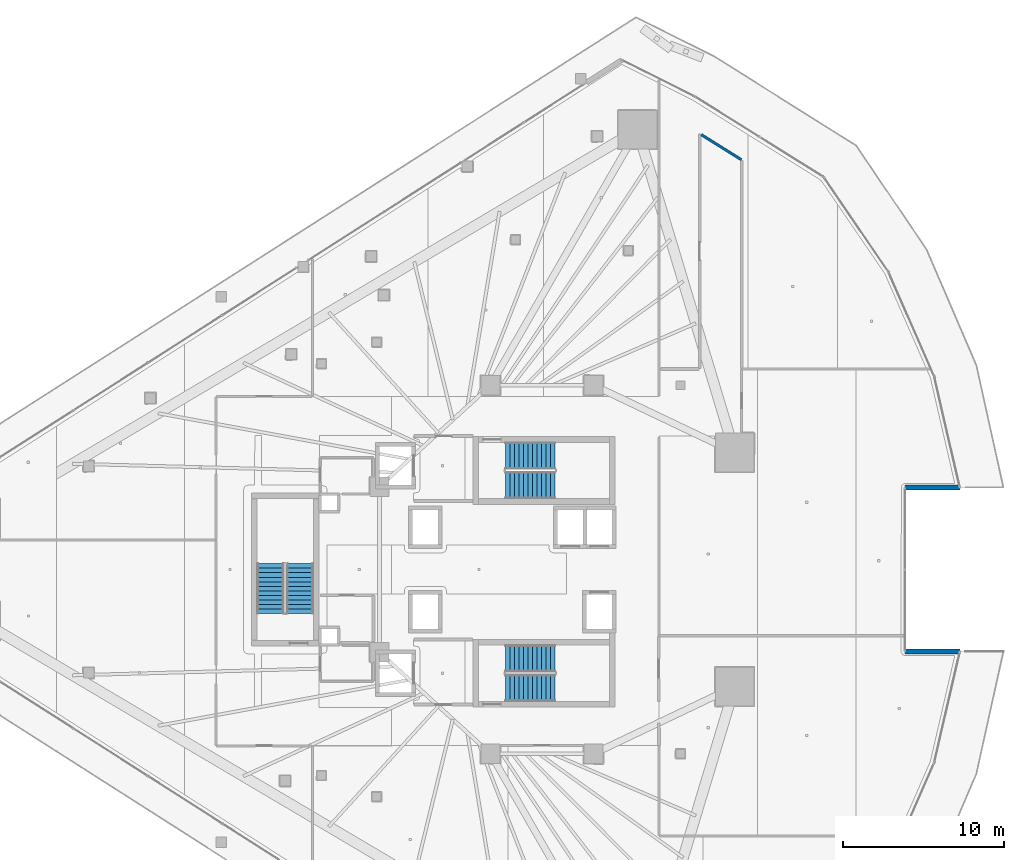
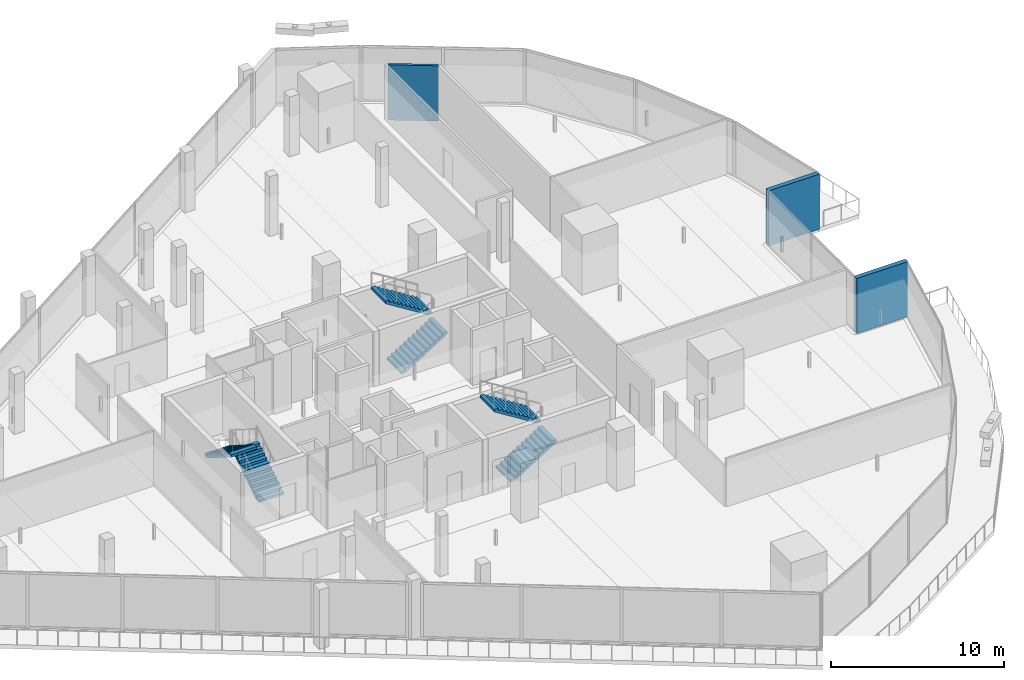
# One storey, part 31 of 45: 6 stair flights, 3 walls, 3 elements without a shape of their own.
"""IFC4 building model written with IfcOpenShell, lengths in metres."""

from ifc_helpers import new_model, si_unit, direction, frame, frame_2d, origin, place, context, subcontext, project, spatial, polyline, rectangle, outline, extrude, material, layer, layer_set, type_object, element, aggregate, save


model = new_model("IFC4")

# Units and contexts
model_context = context("Model", 3, precision=1e-05, world=origin(), true_north=direction((0.0, 1.0)))
body_context = subcontext(model_context, "Body", "Model", "MODEL_VIEW")
ifc_project = project(units=[si_unit("LENGTHUNIT", "METRE"), si_unit("AREAUNIT", "SQUARE_METRE"), si_unit("VOLUMEUNIT", "CUBIC_METRE"), si_unit("PLANEANGLEUNIT", "RADIAN"), si_unit("MASSUNIT", "GRAM", prefix="KILO")], contexts=[model_context])

# Site, building, storey
site_placement = place(None, origin())
site = spatial("IfcSite", under=ifc_project, at=site_placement, CompositionType="ELEMENT")
building_placement = place(site_placement, origin())
building = spatial("IfcBuilding", under=site, at=building_placement, Name="Qorvath Tower", CompositionType="ELEMENT")
storey_placement = place(building_placement, frame((0.0, 0.0, 95.39990234375)))
storey = spatial("IfcBuildingStorey", under=building, at=storey_placement, Name="L21", CompositionType="ELEMENT", Elevation=95.39990234375)

# Walls
ifc_material_1 = material(Name="Double acoustic gypsum board on steel studs", Category="steel")
ifc_layer_1 = layer(ifc_material_1, 0.159912109375)
ifc_layer_set_1 = layer_set([ifc_layer_1], Name="IW-ACOUSTIC-160")
wall_type_1 = type_object("IfcWallType", Name="IW-ACOUSTIC-160", PredefinedType="PARTITIONING", material=ifc_layer_set_1)
wall_placement = place(storey_placement, frame((-8.01318359375, 25.471435546875, 0.0), z_axis=(0.0, 0.0, 1.0), x_axis=(-0.848208611734, 0.529662298998, 0.0)))
element("IfcWall", 1, at=wall_placement, inside=storey, type_object=wall_type_1, Name="Interior Partition IW-T1-L21-030", PredefinedType="PARTITIONING", context=body_context, shape_type="SweptSolid", body=[
    extrude(rectangle(XDim=2.933837890625, YDim=0.159912109375, at=frame_2d((1.466796875, 0.0))), origin(), (0.0, 0.0, 1.0), 3.900146484375),
])
ifc_material_2 = material(Name="Precast concrete C45/55", Category="concrete")
ifc_layer_2 = layer(ifc_material_2, 0.300048828125)
ifc_layer_set_2 = layer_set([ifc_layer_2], Name="WL-EW-LOG-300")
wall_type_2 = type_object("IfcWallType", Name="WL-EW-LOG-300", PredefinedType="SOLIDWALL", material=ifc_layer_set_2)
for number, where, z_axis, x_axis, name in (
    (2, (5.57080078125, -5.09765625, 0.0), (0.0, 0.0, 1.0), (-1.0, 0.0, 0.0), "Tower Precast Loggia Wall L21-8.1"),
    (3, (2.17236328125, 5.09765625, 0.0), (0.0, 0.0, 1.0), (1.0, 0.0, 0.0), "Tower Precast Loggia Wall L21-10.1"),
):
    element("IfcWall", number, at=place(storey_placement, frame(where, z_axis=z_axis, x_axis=x_axis)), inside=storey, type_object=wall_type_2, Name=name, PredefinedType="SOLIDWALL", context=body_context, shape_type="SweptSolid", body=[
        extrude(rectangle(XDim=3.3984375, YDim=0.300048828125, at=frame_2d((1.69921875, 0.0))), origin(), (0.0, 0.0, 1.0), 3.900146484375),
    ])

# Stair, stair flights
ifc_material_3 = material(Name="Concrete C50/60", Category="concrete")
stair_type = type_object("IfcStairType", Name="ST-H420", PredefinedType="HALF_TURN_STAIR", material=ifc_material_3)
stair_1_placement = place(storey_placement, origin())
stair_1 = element("IfcStair", 4, at=stair_1_placement, inside=storey, type_object=stair_type, Name="L21 Tower Exit Stair 1", PredefinedType="HALF_TURN_STAIR")
ifc_material_4 = material(Name="Concrete C50/60", Category="concrete")
ifc_layer_3 = layer(ifc_material_4, 0.14990234375)
ifc_layer_set_3 = layer_set([ifc_layer_3], Name="SF-H420")
stair_flight_type = type_object("IfcStairFlightType", Name="SF-H420", PredefinedType="STRAIGHT", material=ifc_layer_set_3)
stair_flight_1_placement = place(storey_placement, frame((-22.669921875, 5.239990234375, 0.0), z_axis=(0.0, 0.0, 1.0), x_axis=(1.0, 0.0, 0.0)))
stair_flight_1 = element("IfcStairFlight", 5, at=stair_flight_1_placement, type_object=stair_flight_type, Name="TS1 flight 1", NumberOfRisers=12, NumberOfTreads=11, PredefinedType="STRAIGHT", RiserHeight=0.175, TreadLength=0.28, context=body_context, shape_type="SweptSolid", body=[
    extrude(outline(polyline([(0.0, 0.0), (0.0, 0.175048828125), (0.280029296875, 0.175048828125), (0.280029296875, 0.35009765625), (0.56005859375, 0.35009765625), (0.56005859375, 0.52490234375), (0.840087890625, 0.52490234375), (0.840087890625, 0.699951171875), (1.1201171875, 0.699951171875), (1.1201171875, 0.875), (1.39990234375, 0.875), (1.39990234375, 1.050048828125), (1.679931640625, 1.050048828125), (1.679931640625, 1.22509765625), (1.9599609375, 1.22509765625), (1.9599609375, 1.39990234375), (2.239990234375, 1.39990234375), (2.239990234375, 1.574951171875), (2.52001953125, 1.574951171875), (2.52001953125, 1.75), (2.800048828125, 1.75), (2.800048828125, 1.925048828125), (3.080078125, 1.925048828125), (3.080078125, 2.10009765625), (3.080078125, 1.748291015625), (0.28271484375, 0.0), (0.0, 0.0)])), frame((0.0, 0.83984375, 0.0), z_axis=(0.0, -1.0, 0.0), x_axis=(1.0, 0.0, 0.0)), (0.0, 0.0, 1.0), 1.679931640625),
])
stair_flight_2_placement = place(storey_placement, frame((-19.590087890625, 7.070068359375, 2.10009765625), z_axis=(0.0, 0.0, 1.0), x_axis=(-1.0, 0.0, 0.0)))
stair_flight_2 = element("IfcStairFlight", 6, at=stair_flight_2_placement, type_object=stair_flight_type, Name="TS1 flight 2", NumberOfRisers=12, NumberOfTreads=11, PredefinedType="STRAIGHT", RiserHeight=0.175, TreadLength=0.28, context=body_context, shape_type="SweptSolid", body=[
    extrude(outline(polyline([(0.0, 0.0), (0.0, 0.175048828125), (0.280029296875, 0.175048828125), (0.280029296875, 0.35009765625), (0.56005859375, 0.35009765625), (0.56005859375, 0.52490234375), (0.840087890625, 0.52490234375), (0.840087890625, 0.699951171875), (1.1201171875, 0.699951171875), (1.1201171875, 0.875), (1.39990234375, 0.875), (1.39990234375, 1.050048828125), (1.679931640625, 1.050048828125), (1.679931640625, 1.22509765625), (1.9599609375, 1.22509765625), (1.9599609375, 1.39990234375), (2.239990234375, 1.39990234375), (2.239990234375, 1.574951171875), (2.52001953125, 1.574951171875), (2.52001953125, 1.75), (2.800048828125, 1.75), (2.800048828125, 1.925048828125), (3.080078125, 1.925048828125), (3.080078125, 2.10009765625), (3.080078125, 1.748291015625), (0.28271484375, 0.0), (0.0, 0.0)])), frame((0.0, 0.83984375, 0.0), z_axis=(0.0, -1.0, 0.0), x_axis=(1.0, 0.0, 0.0)), (0.0, 0.0, 1.0), 1.679931640625),
])
aggregate(stair_1, [stair_flight_1, stair_flight_2])

stair_2_placement = place(storey_placement, origin())
stair_2 = element("IfcStair", 7, at=stair_2_placement, inside=storey, type_object=stair_type, Name="L21 Tower Exit Stair 2", PredefinedType="HALF_TURN_STAIR")
stair_flight_3_placement = place(storey_placement, frame((-22.669921875, -7.360107421875, 0.0), z_axis=(0.0, 0.0, 1.0), x_axis=(1.0, 0.0, 0.0)))
stair_flight_3 = element("IfcStairFlight", 8, at=stair_flight_3_placement, type_object=stair_flight_type, Name="TS2 flight 1", NumberOfRisers=12, NumberOfTreads=11, PredefinedType="STRAIGHT", RiserHeight=0.175, TreadLength=0.28, context=body_context, shape_type="SweptSolid", body=[
    extrude(outline(polyline([(0.0, 0.0), (0.0, 0.175048828125), (0.280029296875, 0.175048828125), (0.280029296875, 0.35009765625), (0.56005859375, 0.35009765625), (0.56005859375, 0.52490234375), (0.840087890625, 0.52490234375), (0.840087890625, 0.699951171875), (1.1201171875, 0.699951171875), (1.1201171875, 0.875), (1.39990234375, 0.875), (1.39990234375, 1.050048828125), (1.679931640625, 1.050048828125), (1.679931640625, 1.22509765625), (1.9599609375, 1.22509765625), (1.9599609375, 1.39990234375), (2.239990234375, 1.39990234375), (2.239990234375, 1.574951171875), (2.52001953125, 1.574951171875), (2.52001953125, 1.75), (2.800048828125, 1.75), (2.800048828125, 1.925048828125), (3.080078125, 1.925048828125), (3.080078125, 2.10009765625), (3.080078125, 1.748291015625), (0.28271484375, 0.0), (0.0, 0.0)])), frame((0.0, 0.83984375, 0.0), z_axis=(0.0, -1.0, 0.0), x_axis=(1.0, 0.0, 0.0)), (0.0, 0.0, 1.0), 1.679931640625),
])
stair_flight_4_placement = place(storey_placement, frame((-19.590087890625, -5.530029296875, 2.10009765625), z_axis=(0.0, 0.0, 1.0), x_axis=(-1.0, 0.0, 0.0)))
stair_flight_4 = element("IfcStairFlight", 9, at=stair_flight_4_placement, type_object=stair_flight_type, Name="TS2 flight 2", NumberOfRisers=12, NumberOfTreads=11, PredefinedType="STRAIGHT", RiserHeight=0.175, TreadLength=0.28, context=body_context, shape_type="SweptSolid", body=[
    extrude(outline(polyline([(0.0, 0.0), (0.0, 0.175048828125), (0.280029296875, 0.175048828125), (0.280029296875, 0.35009765625), (0.56005859375, 0.35009765625), (0.56005859375, 0.52490234375), (0.840087890625, 0.52490234375), (0.840087890625, 0.699951171875), (1.1201171875, 0.699951171875), (1.1201171875, 0.875), (1.39990234375, 0.875), (1.39990234375, 1.050048828125), (1.679931640625, 1.050048828125), (1.679931640625, 1.22509765625), (1.9599609375, 1.22509765625), (1.9599609375, 1.39990234375), (2.239990234375, 1.39990234375), (2.239990234375, 1.574951171875), (2.52001953125, 1.574951171875), (2.52001953125, 1.75), (2.800048828125, 1.75), (2.800048828125, 1.925048828125), (3.080078125, 1.925048828125), (3.080078125, 2.10009765625), (3.080078125, 1.748291015625), (0.28271484375, 0.0), (0.0, 0.0)])), frame((0.0, 0.83984375, 0.0), z_axis=(0.0, -1.0, 0.0), x_axis=(1.0, 0.0, 0.0)), (0.0, 0.0, 1.0), 1.679931640625),
])
aggregate(stair_2, [stair_flight_3, stair_flight_4])

stair_3_placement = place(storey_placement, origin())
stair_3 = element("IfcStair", 10, at=stair_3_placement, inside=storey, type_object=stair_type, Name="L21 Tower Exit Stair 3", PredefinedType="HALF_TURN_STAIR")
stair_flight_5_placement = place(storey_placement, frame((-35.43994140625, -2.719970703125, 0.0), z_axis=(0.0, 0.0, 1.0), x_axis=(0.0, 1.0, 0.0)))
stair_flight_5 = element("IfcStairFlight", 11, at=stair_flight_5_placement, type_object=stair_flight_type, Name="TS3 flight 1", NumberOfRisers=12, NumberOfTreads=11, PredefinedType="STRAIGHT", RiserHeight=0.175, TreadLength=0.28, context=body_context, shape_type="SweptSolid", body=[
    extrude(outline(polyline([(0.0, 0.0), (0.0, 0.175048828125), (0.280029296875, 0.175048828125), (0.280029296875, 0.35009765625), (0.56005859375, 0.35009765625), (0.56005859375, 0.52490234375), (0.840087890625, 0.52490234375), (0.840087890625, 0.699951171875), (1.1201171875, 0.699951171875), (1.1201171875, 0.875), (1.39990234375, 0.875), (1.39990234375, 1.050048828125), (1.679931640625, 1.050048828125), (1.679931640625, 1.22509765625), (1.9599609375, 1.22509765625), (1.9599609375, 1.39990234375), (2.239990234375, 1.39990234375), (2.239990234375, 1.574951171875), (2.52001953125, 1.574951171875), (2.52001953125, 1.75), (2.800048828125, 1.75), (2.800048828125, 1.925048828125), (3.080078125, 1.925048828125), (3.080078125, 2.10009765625), (3.080078125, 1.748291015625), (0.28271484375, 0.0), (0.0, 0.0)])), frame((0.0, 0.83984375, 0.0), z_axis=(0.0, -1.0, 0.0), x_axis=(1.0, 0.0, 0.0)), (0.0, 0.0, 1.0), 1.679931640625),
])
stair_flight_6_placement = place(storey_placement, frame((-37.27001953125, 0.360107421875, 2.10009765625), z_axis=(0.0, 0.0, 1.0), x_axis=(0.0, -1.0, 0.0)))
stair_flight_6 = element("IfcStairFlight", 12, at=stair_flight_6_placement, type_object=stair_flight_type, Name="TS3 flight 2", NumberOfRisers=12, NumberOfTreads=11, PredefinedType="STRAIGHT", RiserHeight=0.175, TreadLength=0.28, context=body_context, shape_type="SweptSolid", body=[
    extrude(outline(polyline([(0.0, 0.0), (0.0, 0.175048828125), (0.280029296875, 0.175048828125), (0.280029296875, 0.35009765625), (0.56005859375, 0.35009765625), (0.56005859375, 0.52490234375), (0.840087890625, 0.52490234375), (0.840087890625, 0.699951171875), (1.1201171875, 0.699951171875), (1.1201171875, 0.875), (1.39990234375, 0.875), (1.39990234375, 1.050048828125), (1.679931640625, 1.050048828125), (1.679931640625, 1.22509765625), (1.9599609375, 1.22509765625), (1.9599609375, 1.39990234375), (2.239990234375, 1.39990234375), (2.239990234375, 1.574951171875), (2.52001953125, 1.574951171875), (2.52001953125, 1.75), (2.800048828125, 1.75), (2.800048828125, 1.925048828125), (3.080078125, 1.925048828125), (3.080078125, 2.10009765625), (3.080078125, 1.748291015625), (0.28271484375, 0.0), (0.0, 0.0)])), frame((0.0, 0.83984375, 0.0), z_axis=(0.0, -1.0, 0.0), x_axis=(1.0, 0.0, 0.0)), (0.0, 0.0, 1.0), 1.679931640625),
])
aggregate(stair_3, [stair_flight_5, stair_flight_6])

save(model, "model.ifc")
